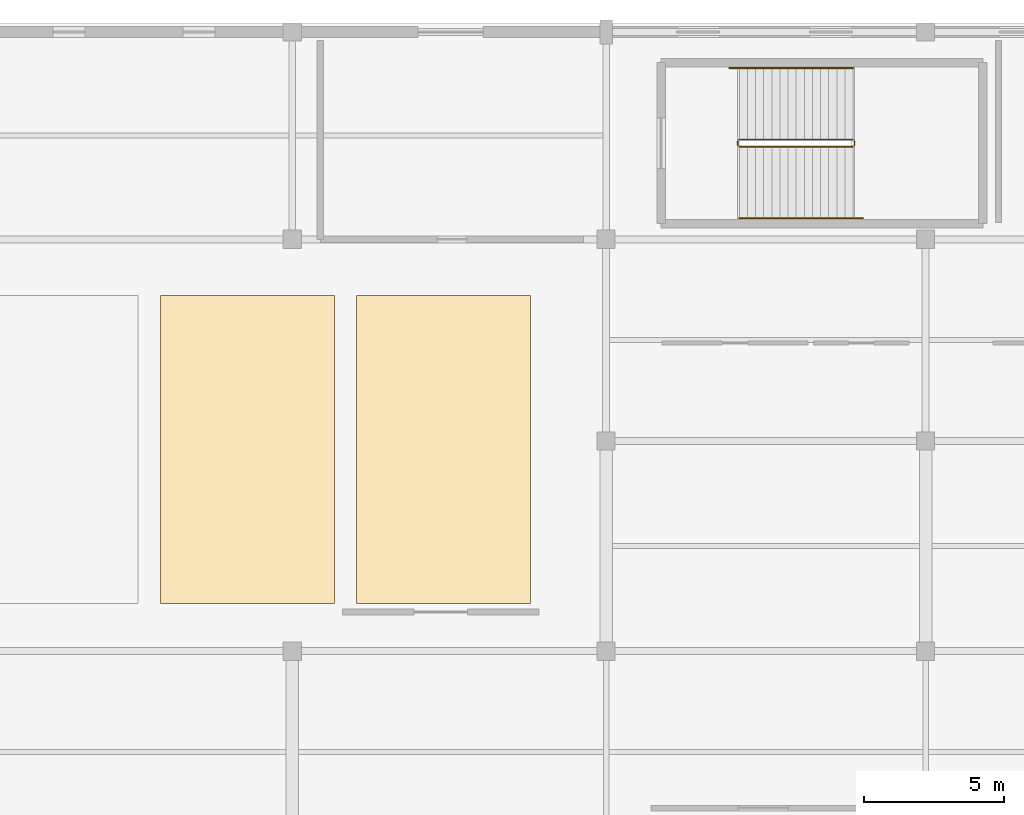
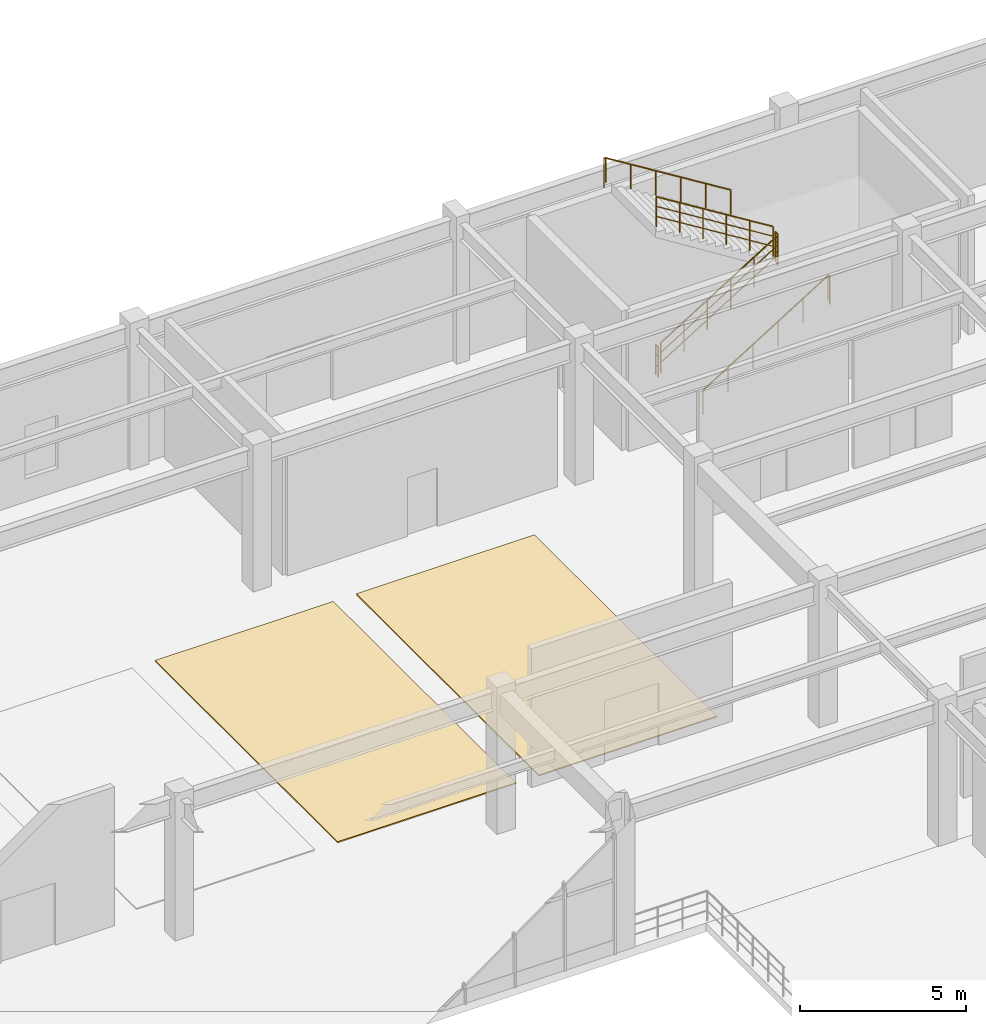
# One storey, part 93 of 93: 6 railings, 2 coverings.
"""IFC4 building model written with IfcOpenShell, lengths in metres."""

from ifc_helpers import new_model, si_unit, direction, frame, origin, origin_2d, place, context, subcontext, project, spatial, polyline, circle, outline, extrude, material, layer, layer_set, type_object, element, save


model = new_model("IFC4")

# Units and contexts
model_context = context("Model", 3, precision=1e-05, world=origin(), true_north=direction((0.0, 1.0)))
body_context = subcontext(model_context, "Body", "Model", "MODEL_VIEW")
ifc_project = project(units=[si_unit("LENGTHUNIT", "METRE"), si_unit("AREAUNIT", "SQUARE_METRE"), si_unit("VOLUMEUNIT", "CUBIC_METRE"), si_unit("PLANEANGLEUNIT", "RADIAN"), si_unit("MASSUNIT", "GRAM", prefix="KILO")], contexts=[model_context])

# Site, building, storey
site_placement = place(None, origin())
site = spatial("IfcSite", under=ifc_project, at=site_placement, CompositionType="ELEMENT")
building_placement = place(site_placement, origin())
building = spatial("IfcBuilding", under=site, at=building_placement, Name="Cinderbank Siding Concert Hall", CompositionType="ELEMENT")
storey_placement = place(building_placement, origin())
storey = spatial("IfcBuildingStorey", under=building, at=storey_placement, Name="L01", CompositionType="ELEMENT", Elevation=0.0)

# Coverings
ifc_material_1 = material(Name="Spotted gum glulam timber GL18 (42 MPa)", Category="wood")
ifc_layer = layer(ifc_material_1, 0.0400390625)
ifc_layer_set = layer_set([ifc_layer], Name="Spotted gum glulam timber GL18 (42 MPa)")
covering_type = type_object("IfcCoveringType", Name="FLR-01 Sprung Spotted Gum Stage Flooring", PredefinedType="FLOORING", material=ifc_layer_set)
covering_1_placement = place(storey_placement, origin())
element("IfcCovering", 1, at=covering_1_placement, inside=storey, type_object=covering_type, Name="Orchestral Rehearsal Sprung Floor Bay 3", PredefinedType="FLOORING", context=body_context, shape_type="SweptSolid", body=[
    extrude(outline(polyline([(134.5, 97.5), (140.699951171875, 97.5), (140.699951171875, 108.5), (134.5, 108.5), (134.5, 97.5)])), origin(), (0.0, 0.0, 1.0), 0.0400390625),
])
covering_2_placement = place(storey_placement, origin())
element("IfcCovering", 2, at=covering_2_placement, inside=storey, type_object=covering_type, Name="Orchestral Rehearsal Sprung Floor Bay 4", PredefinedType="FLOORING", context=body_context, shape_type="SweptSolid", body=[
    extrude(outline(polyline([(141.5, 97.5), (147.699951171875, 97.5), (147.699951171875, 108.5), (141.5, 108.5), (141.5, 97.5)])), origin(), (0.0, 0.0, 1.0), 0.0400390625),
])

# Railings
ifc_material_2 = material(Name="Structural steel AS/NZS 3679.1 Grade 350 (340 MPa)", Category="steel")
railing_type_1 = type_object("IfcRailingType", Name="STG-01 Stair Well Guardrail 1120mm", PredefinedType="GUARDRAIL", material=ifc_material_2)
railing_1_placement = place(storey_placement, frame((155.14990234375, 113.800048828125, 0.179931640625)))
element("IfcRailing", 3, at=railing_1_placement, inside=storey, type_object=railing_type_1, Name="L01 ST-07 stair guard 1", PredefinedType="GUARDRAIL", context=body_context, shape_type="SweptSolid", body=[
    extrude(circle(Radius=0.02392578125, at=origin_2d()), frame((0.0, 0.0, 1.09619140625), z_axis=(0.849641744969, 0.0, 0.527360318194), x_axis=(0.0, 1.0, 0.0)), (0.0, 0.0, 1.0), 4.778564453125),
    extrude(circle(Radius=0.01611328125, at=origin_2d()), frame((0.0, 0.0, 0.36962890625), z_axis=(0.849641744969, 0.0, 0.527360318194), x_axis=(0.0, 1.0, 0.0)), (0.0, 0.0, 1.0), 4.778564453125),
    extrude(circle(Radius=0.01611328125, at=origin_2d()), frame((0.0, 0.0, 0.7392578125), z_axis=(0.849641744969, 0.0, 0.527360318194), x_axis=(0.0, 1.0, 0.0)), (0.0, 0.0, 1.0), 4.778564453125),
    extrude(circle(Radius=0.02099609375, at=origin_2d()), origin(), (0.0, 0.0, 1.0), 1.072021484375),
    extrude(circle(Radius=0.02099609375, at=origin_2d()), frame((0.81201171875, 0.0, 0.50390625)), (0.0, 0.0, 1.0), 1.072021484375),
    extrude(circle(Radius=0.02099609375, at=origin_2d()), frame((1.6240234375, 0.0, 1.008056640625)), (0.0, 0.0, 1.0), 1.072021484375),
    extrude(circle(Radius=0.02099609375, at=origin_2d()), frame((2.43603515625, 0.0, 1.511962890625)), (0.0, 0.0, 1.0), 1.072021484375),
    extrude(circle(Radius=0.02099609375, at=origin_2d()), frame((3.248046875, 0.0, 2.01611328125)), (0.0, 0.0, 1.0), 1.072021484375),
    extrude(circle(Radius=0.02099609375, at=origin_2d()), frame((4.06005859375, 0.0, 2.52001953125)), (0.0, 0.0, 1.0), 1.072021484375),
])
railing_2_placement = place(storey_placement, frame((159.260009765625, 113.85009765625, 2.699951171875)))
element("IfcRailing", 4, at=railing_2_placement, inside=storey, type_object=railing_type_1, Name="L01 ST-07 stair guard 2", PredefinedType="GUARDRAIL", context=body_context, shape_type="SweptSolid", body=[
    extrude(circle(Radius=0.02392578125, at=origin_2d()), frame((0.0, 0.0, 1.09619140625), z_axis=(0.0, 1.0, 0.0), x_axis=(-1.0, 0.0, 0.0)), (0.0, 0.0, 1.0), 0.159912109375),
    extrude(circle(Radius=0.01611328125, at=origin_2d()), frame((0.0, 0.0, 0.36962890625), z_axis=(0.0, 1.0, 0.0), x_axis=(-1.0, 0.0, 0.0)), (0.0, 0.0, 1.0), 0.159912109375),
    extrude(circle(Radius=0.01611328125, at=origin_2d()), frame((0.0, 0.0, 0.7392578125), z_axis=(0.0, 1.0, 0.0), x_axis=(-1.0, 0.0, 0.0)), (0.0, 0.0, 1.0), 0.159912109375),
    extrude(circle(Radius=0.02099609375, at=origin_2d()), origin(), (0.0, 0.0, 1.0), 1.072021484375),
    extrude(circle(Radius=0.02099609375, at=origin_2d()), frame((0.0, 0.159912109375, 0.0)), (0.0, 0.0, 1.0), 1.072021484375),
])
railing_3_placement = place(storey_placement, frame((159.2099609375, 114.06005859375, 2.8798828125)))
element("IfcRailing", 5, at=railing_3_placement, inside=storey, type_object=railing_type_1, Name="L01 ST-07 stair guard 3", PredefinedType="GUARDRAIL", context=body_context, shape_type="SweptSolid", body=[
    extrude(circle(Radius=0.02392578125, at=origin_2d()), frame((0.0, 0.0, 1.09619140625), z_axis=(-0.849641744969, 0.0, 0.527360318194), x_axis=(0.0, -1.0, 0.0)), (0.0, 0.0, 1.0), 4.778564453125),
    extrude(circle(Radius=0.01611328125, at=origin_2d()), frame((0.0, 0.0, 0.36962890625), z_axis=(-0.849641744969, 0.0, 0.527360318194), x_axis=(0.0, -1.0, 0.0)), (0.0, 0.0, 1.0), 4.778564453125),
    extrude(circle(Radius=0.01611328125, at=origin_2d()), frame((0.0, 0.0, 0.7392578125), z_axis=(-0.849641744969, 0.0, 0.527360318194), x_axis=(0.0, -1.0, 0.0)), (0.0, 0.0, 1.0), 4.778564453125),
    extrude(circle(Radius=0.02099609375, at=origin_2d()), origin(), (0.0, 0.0, 1.0), 1.072021484375),
    extrude(circle(Radius=0.02099609375, at=origin_2d()), frame((-0.81201171875, 0.0, 0.50390625)), (0.0, 0.0, 1.0), 1.072021484375),
    extrude(circle(Radius=0.02099609375, at=origin_2d()), frame((-1.6240234375, 0.0, 1.008056640625)), (0.0, 0.0, 1.0), 1.072021484375),
    extrude(circle(Radius=0.02099609375, at=origin_2d()), frame((-2.43603515625, 0.0, 1.511962890625)), (0.0, 0.0, 1.0), 1.072021484375),
    extrude(circle(Radius=0.02099609375, at=origin_2d()), frame((-3.248046875, 0.0, 2.01611328125)), (0.0, 0.0, 1.0), 1.072021484375),
    extrude(circle(Radius=0.02099609375, at=origin_2d()), frame((-4.06005859375, 0.0, 2.52001953125)), (0.0, 0.0, 1.0), 1.072021484375),
])
railing_4_placement = place(storey_placement, frame((155.10009765625, 113.85009765625, 0.0)))
element("IfcRailing", 6, at=railing_4_placement, inside=storey, type_object=railing_type_1, Name="L01 ST-07 stair guard 4", PredefinedType="GUARDRAIL", context=body_context, shape_type="SweptSolid", body=[
    extrude(circle(Radius=0.02392578125, at=origin_2d()), frame((0.0, 0.0, 1.09619140625), z_axis=(0.0, 1.0, 0.0), x_axis=(-1.0, 0.0, 0.0)), (0.0, 0.0, 1.0), 0.159912109375),
    extrude(circle(Radius=0.01611328125, at=origin_2d()), frame((0.0, 0.0, 0.36962890625), z_axis=(0.0, 1.0, 0.0), x_axis=(-1.0, 0.0, 0.0)), (0.0, 0.0, 1.0), 0.159912109375),
    extrude(circle(Radius=0.01611328125, at=origin_2d()), frame((0.0, 0.0, 0.7392578125), z_axis=(0.0, 1.0, 0.0), x_axis=(-1.0, 0.0, 0.0)), (0.0, 0.0, 1.0), 0.159912109375),
    extrude(circle(Radius=0.02099609375, at=origin_2d()), origin(), (0.0, 0.0, 1.0), 1.072021484375),
    extrude(circle(Radius=0.02099609375, at=origin_2d()), frame((0.0, 0.159912109375, 0.0)), (0.0, 0.0, 1.0), 1.072021484375),
])
railing_type_2 = type_object("IfcRailingType", Name="STH-01 Stair Pitch Handrail 920mm", PredefinedType="HANDRAIL", material=ifc_material_2)
railing_5_placement = place(storey_placement, frame((155.14990234375, 111.25, 0.179931640625)))
element("IfcRailing", 7, at=railing_5_placement, inside=storey, type_object=railing_type_2, Name="L01 ST-07 stair handrail 1", PredefinedType="HANDRAIL", context=body_context, shape_type="SweptSolid", body=[
    extrude(circle(Radius=0.02392578125, at=origin_2d()), frame((0.0, 0.0, 0.89599609375), z_axis=(0.849649743971, 0.0, 0.527347430608), x_axis=(0.0, 1.0, 0.0)), (0.0, 0.0, 1.0), 5.119873046875),
    extrude(circle(Radius=0.02392578125, at=origin_2d()), frame((4.35009765625, 0.0, 3.595703125), z_axis=(1.0, 0.0, 0.0), x_axis=(0.0, 1.0, 0.0)), (0.0, 0.0, 1.0), 0.06005859375),
    extrude(circle(Radius=0.02099609375, at=origin_2d()), origin(), (0.0, 0.0, 1.0), 0.871826171875),
    extrude(circle(Radius=0.02099609375, at=origin_2d()), frame((0.8701171875, 0.0, 0.5400390625)), (0.0, 0.0, 1.0), 0.871826171875),
    extrude(circle(Radius=0.02099609375, at=origin_2d()), frame((1.739990234375, 0.0, 1.080078125)), (0.0, 0.0, 1.0), 0.871826171875),
    extrude(circle(Radius=0.02099609375, at=origin_2d()), frame((2.610107421875, 0.0, 1.619873046875)), (0.0, 0.0, 1.0), 0.871826171875),
    extrude(circle(Radius=0.02099609375, at=origin_2d()), frame((3.47998046875, 0.0, 2.159912109375)), (0.0, 0.0, 1.0), 0.871826171875),
    extrude(circle(Radius=0.02099609375, at=origin_2d()), frame((4.35009765625, 0.0, 2.699951171875)), (0.0, 0.0, 1.0), 0.871826171875),
    extrude(circle(Radius=0.02099609375, at=origin_2d()), frame((4.41015625, 0.0, 2.52001953125)), (0.0, 0.0, 1.0), 1.0517578125),
])
railing_6_placement = place(storey_placement, frame((159.2099609375, 116.610107421875, 2.8798828125)))
element("IfcRailing", 8, at=railing_6_placement, inside=storey, type_object=railing_type_2, Name="L01 ST-07 stair handrail 2", PredefinedType="HANDRAIL", context=body_context, shape_type="SweptSolid", body=[
    extrude(circle(Radius=0.02392578125, at=origin_2d()), frame((0.0, 0.0, 0.89599609375), z_axis=(-0.849615114927, 0.0, 0.52740322002), x_axis=(0.0, -1.0, 0.0)), (0.0, 0.0, 1.0), 5.119873046875),
    extrude(circle(Radius=0.02392578125, at=origin_2d()), frame((-4.349853515625, 0.0, 3.59619140625), z_axis=(-1.0, 0.0, 0.0), x_axis=(0.0, -1.0, 0.0)), (0.0, 0.0, 1.0), 0.06005859375),
    extrude(circle(Radius=0.02099609375, at=origin_2d()), origin(), (0.0, 0.0, 1.0), 0.871826171875),
    extrude(circle(Radius=0.02099609375, at=origin_2d()), frame((-0.869873046875, 0.0, 0.5400390625)), (0.0, 0.0, 1.0), 0.871826171875),
    extrude(circle(Radius=0.02099609375, at=origin_2d()), frame((-1.739990234375, 0.0, 1.080078125)), (0.0, 0.0, 1.0), 0.871826171875),
    extrude(circle(Radius=0.02099609375, at=origin_2d()), frame((-2.60986328125, 0.0, 1.6201171875)), (0.0, 0.0, 1.0), 0.871826171875),
    extrude(circle(Radius=0.02099609375, at=origin_2d()), frame((-3.47998046875, 0.0, 2.16015625)), (0.0, 0.0, 1.0), 0.871826171875),
    extrude(circle(Radius=0.02099609375, at=origin_2d()), frame((-4.349853515625, 0.0, 2.7001953125)), (0.0, 0.0, 1.0), 0.871826171875),
    extrude(circle(Radius=0.02099609375, at=origin_2d()), frame((-4.409912109375, 0.0, 2.520263671875)), (0.0, 0.0, 1.0), 1.0517578125),
])

save(model, "model.ifc")
